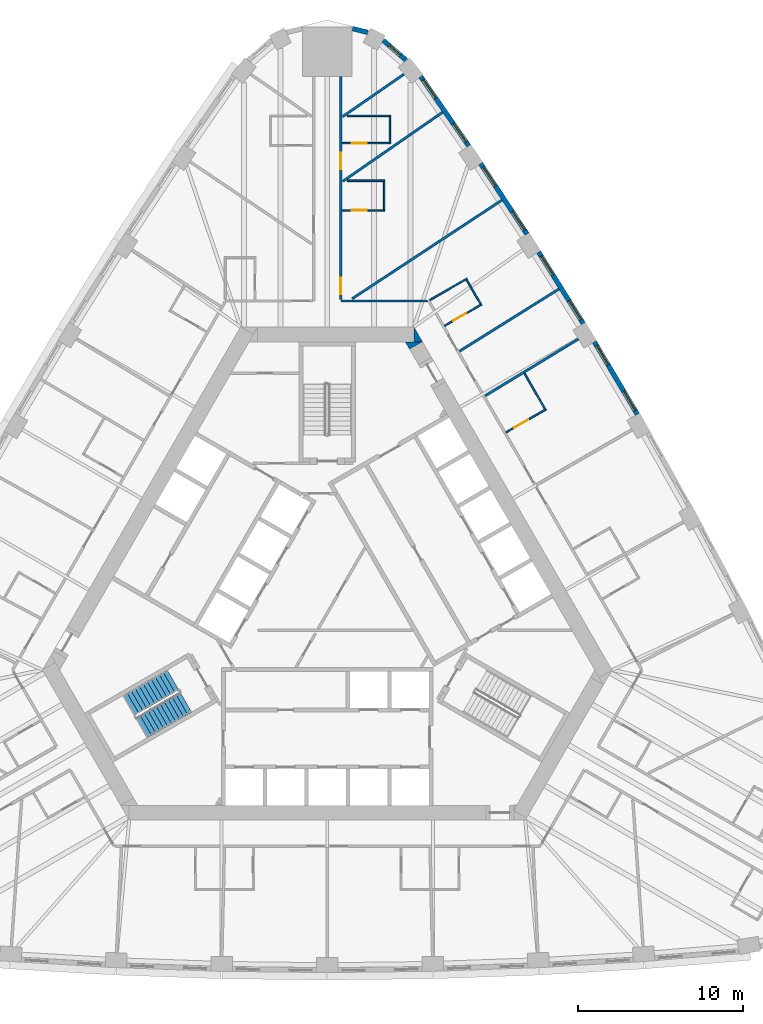
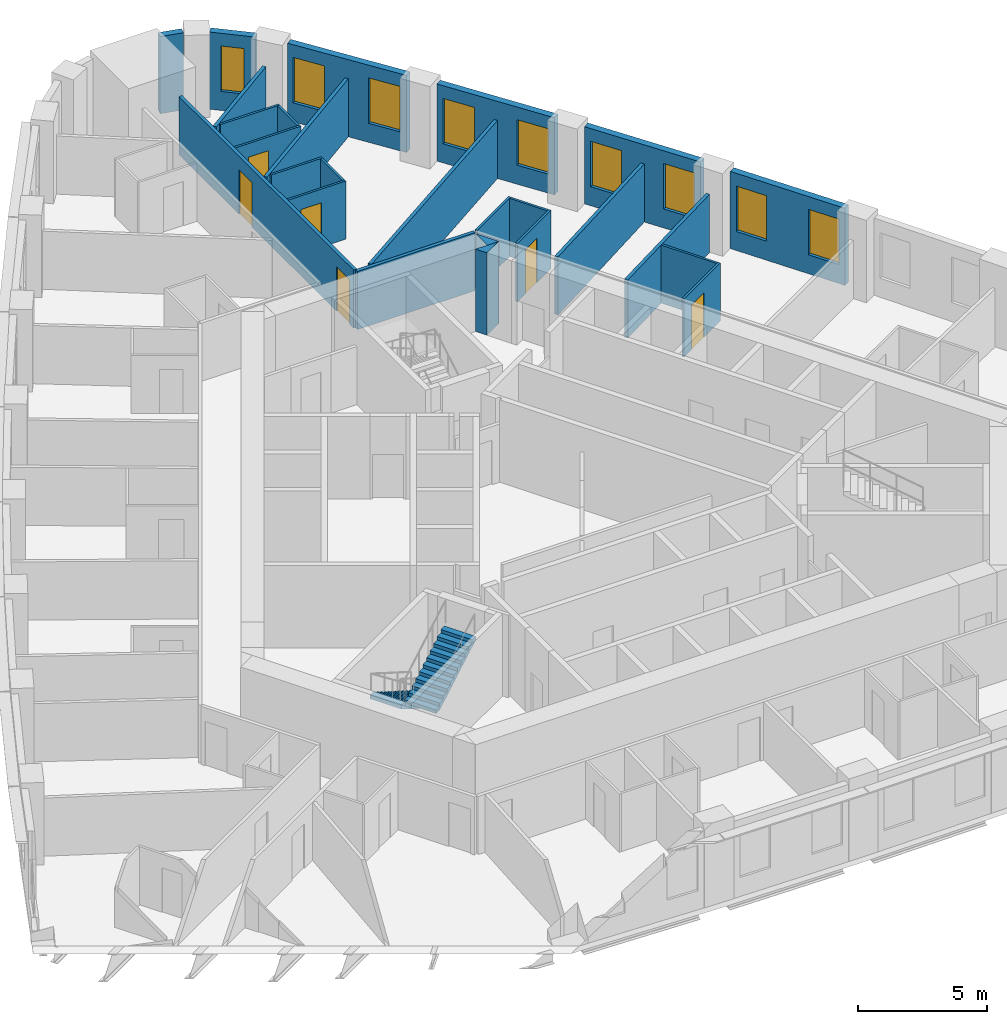
# One storey, part 11 of 13: 26 walls, 9 windows, 6 doors, 2 stair flights, 15 openings, 1 element without a shape of its own.
"""IFC4 building model written with IfcOpenShell, lengths in metres."""

from ifc_helpers import new_model, si_unit, direction, frame, frame_2d, origin, place, context, subcontext, project, spatial, polyline, rectangle, outline, extrude, material, layer, layer_set, type_object, element, fill, aggregate, save


model = new_model("IFC4")

# Units and contexts
model_context = context("Model", 3, precision=1e-05, world=origin(), true_north=direction((0.0, 1.0)))
body_context = subcontext(model_context, "Body", "Model", "MODEL_VIEW")
ifc_project = project(units=[si_unit("LENGTHUNIT", "METRE"), si_unit("AREAUNIT", "SQUARE_METRE"), si_unit("VOLUMEUNIT", "CUBIC_METRE"), si_unit("PLANEANGLEUNIT", "RADIAN"), si_unit("MASSUNIT", "GRAM", prefix="KILO")], contexts=[model_context])

# Site, building, storey
site_placement = place(None, origin())
site = spatial("IfcSite", under=ifc_project, at=site_placement, CompositionType="ELEMENT")
building_placement = place(site_placement, origin())
building = spatial("IfcBuilding", under=site, at=building_placement, Name="Mestral Congress Tower", CompositionType="ELEMENT")
storey_placement = place(building_placement, frame((0.0, 0.0, 95.39990234375)))
storey = spatial("IfcBuildingStorey", under=building, at=storey_placement, Name="L22", CompositionType="ELEMENT", Elevation=95.39990234375)

# Walls
ifc_material_1 = material(Name="Concrete C60/75", Category="concrete")
ifc_layer_1 = layer(ifc_material_1, 0.89990234375)
ifc_layer_set_1 = layer_set([ifc_layer_1], Name="Concrete C60/75")
wall_type_1 = type_object("IfcWallType", Name="Core wall RC 900", PredefinedType="SOLIDWALL", material=ifc_layer_set_1)
placement = place(storey_placement, origin())
element("IfcWall", 1, at=placement, inside=storey, type_object=wall_type_1, Name="L22 core wall", PredefinedType="SOLIDWALL", context=body_context, shape_type="SweptSolid", body=[
    extrude(outline(polyline([(5.265380859375, 16.0), (5.265380859375, 16.8798828125), (5.7734375, 16.0), (5.265380859375, 16.0)])), origin(), (0.0, 0.0, 1.0), 3.900146484375),
])
element("IfcWall", 2, at=placement, inside=storey, type_object=wall_type_1, Name="L22 core wall", PredefinedType="SOLIDWALL", context=body_context, shape_type="SweptSolid", body=[
    extrude(outline(polyline([(4.734375, 16.0), (5.750244140625, 16.0), (4.98828125, 15.56005859375), (4.734375, 16.0)])), origin(), (0.0, 0.0, 1.0), 3.900146484375),
])

# Wall, openings, windows
ifc_material_2 = material(Name="Precast concrete C40/50 with limestone facing", Category="masonry")
ifc_layer_2 = layer(ifc_material_2, 0.2900390625)
ifc_layer_set_2 = layer_set([ifc_layer_2], Name="Precast concrete C40/50 with limestone facing")
wall_type_2 = type_object("IfcWallType", Name="Facade stone wall 290", PredefinedType="SOLIDWALL", material=ifc_layer_set_2)
wall_3_placement = place(storey_placement, frame((18.8046875, 11.611083984375, 0.0), z_axis=(0.0, 0.0, 1.0), x_axis=(-0.510054281659, 0.860142214847, 0.0)))
wall_3 = element("IfcWall", 3, at=wall_3_placement, inside=storey, type_object=wall_type_2, Name="Facade wall F1-04", PredefinedType="SOLIDWALL", context=body_context, shape_type="SweptSolid", body=[
    extrude(rectangle(XDim=5.1005859375, YDim=0.2900390625, at=frame_2d((2.55029296875, 0.0))), origin(), (0.0, 0.0, 1.0), 3.650146484375),
])
opening_1_placement = place(wall_3_placement, frame((0.272705078125, 0.0, 0.89990234375)))
opening_1 = element("IfcOpeningElement", 4, at=opening_1_placement, cuts=wall_3, Name="Opening W2", PredefinedType="OPENING", context=body_context, shape_type="SweptSolid", body=[
    extrude(rectangle(XDim=1.35009765625, YDim=2.14990234375, at=frame_2d((0.675048828125, 1.074951171875))), frame((0.0, 0.155029296875, 0.0), z_axis=(0.0, -1.0, 0.0), x_axis=(1.0, 0.0, 0.0)), (0.0, 0.0, 1.0), 0.31005859375),
])
opening_2_placement = place(wall_3_placement, frame((3.477783203125, 0.0, 0.89990234375)))
opening_2 = element("IfcOpeningElement", 5, at=opening_2_placement, cuts=wall_3, Name="Opening W2", PredefinedType="OPENING", context=body_context, shape_type="SweptSolid", body=[
    extrude(rectangle(XDim=1.35009765625, YDim=2.14990234375, at=frame_2d((0.675048828125, 1.074951171875))), frame((0.0, 0.155029296875, 0.0), z_axis=(0.0, -1.0, 0.0), x_axis=(1.0, 0.0, 0.0)), (0.0, 0.0, 1.0), 0.31005859375),
])
ifc_material_3 = material(Name="Clear low-emissivity double glazing", Category="glass")
window_type_1 = type_object("IfcWindowType", Name="Facade punched window 1350 x 2150 sill 900", PartitioningType="DOUBLE_PANEL_VERTICAL", PredefinedType="WINDOW", material=ifc_material_3)
window_1_placement = place(opening_1_placement, origin())
window_1 = element("IfcWindow", 6, at=window_1_placement, inside=storey, type_object=window_type_1, Name="Window F1-04a", OverallHeight=2.14990234375, OverallWidth=1.35009765625, PartitioningType="DOUBLE_PANEL_VERTICAL", PredefinedType="WINDOW", context=body_context, shape_type="SweptSolid", body=[
    extrude(rectangle(XDim=1.35009765625, YDim=2.14990234375, at=frame_2d((0.675048828125, 1.074951171875))), frame((0.0, 0.01513671875, 0.0), z_axis=(0.0, -1.0, 0.0), x_axis=(1.0, 0.0, 0.0)), (0.0, 0.0, 1.0), 0.06005859375),
])
fill(opening_1, window_1)
window_2_placement = place(opening_2_placement, origin())
window_2 = element("IfcWindow", 7, at=window_2_placement, inside=storey, type_object=window_type_1, Name="Window F1-04b", OverallHeight=2.14990234375, OverallWidth=1.35009765625, PartitioningType="DOUBLE_PANEL_VERTICAL", PredefinedType="WINDOW", context=body_context, shape_type="SweptSolid", body=[
    extrude(rectangle(XDim=1.35009765625, YDim=2.14990234375, at=frame_2d((0.675048828125, 1.074951171875))), frame((0.0, 0.01513671875, 0.0), z_axis=(0.0, -1.0, 0.0), x_axis=(1.0, 0.0, 0.0)), (0.0, 0.0, 1.0), 0.06005859375),
])
fill(opening_2, window_2)

wall_4_placement = place(storey_placement, frame((15.523681640625, 17.114013671875, 0.0), z_axis=(0.0, 0.0, 1.0), x_axis=(-0.530072082134, 0.847952585787, 0.0)))
wall_4 = element("IfcWall", 8, at=wall_4_placement, inside=storey, type_object=wall_type_2, Name="Facade wall F1-05", PredefinedType="SOLIDWALL", context=body_context, shape_type="SweptSolid", body=[
    extrude(rectangle(XDim=5.100341796875, YDim=0.2900390625, at=frame_2d((2.55029296875, 0.0))), origin(), (0.0, 0.0, 1.0), 3.650146484375),
])
opening_3_placement = place(wall_4_placement, frame((0.272705078125, 0.0, 0.89990234375)))
opening_3 = element("IfcOpeningElement", 9, at=opening_3_placement, cuts=wall_4, Name="Opening W2", PredefinedType="OPENING", context=body_context, shape_type="SweptSolid", body=[
    extrude(rectangle(XDim=1.35009765625, YDim=2.14990234375, at=frame_2d((0.675048828125, 1.074951171875))), frame((0.0, 0.155029296875, 0.0), z_axis=(0.0, -1.0, 0.0), x_axis=(1.0, 0.0, 0.0)), (0.0, 0.0, 1.0), 0.31005859375),
])
opening_4_placement = place(wall_4_placement, frame((3.477783203125, 0.0, 0.89990234375)))
opening_4 = element("IfcOpeningElement", 10, at=opening_4_placement, cuts=wall_4, Name="Opening W2", PredefinedType="OPENING", context=body_context, shape_type="SweptSolid", body=[
    extrude(rectangle(XDim=1.35009765625, YDim=2.14990234375, at=frame_2d((0.675048828125, 1.074951171875))), frame((0.0, 0.155029296875, 0.0), z_axis=(0.0, -1.0, 0.0), x_axis=(1.0, 0.0, 0.0)), (0.0, 0.0, 1.0), 0.31005859375),
])
window_3_placement = place(opening_3_placement, origin())
window_3 = element("IfcWindow", 11, at=window_3_placement, inside=storey, type_object=window_type_1, Name="Window F1-05a", OverallHeight=2.14990234375, OverallWidth=1.35009765625, PartitioningType="DOUBLE_PANEL_VERTICAL", PredefinedType="WINDOW", context=body_context, shape_type="SweptSolid", body=[
    extrude(rectangle(XDim=1.35009765625, YDim=2.14990234375, at=frame_2d((0.675048828125, 1.074951171875))), frame((0.0, 0.01513671875, 0.0), z_axis=(0.0, -1.0, 0.0), x_axis=(1.0, 0.0, 0.0)), (0.0, 0.0, 1.0), 0.06005859375),
])
fill(opening_3, window_3)
window_4_placement = place(opening_4_placement, origin())
window_4 = element("IfcWindow", 12, at=window_4_placement, inside=storey, type_object=window_type_1, Name="Window F1-05b", OverallHeight=2.14990234375, OverallWidth=1.35009765625, PartitioningType="DOUBLE_PANEL_VERTICAL", PredefinedType="WINDOW", context=body_context, shape_type="SweptSolid", body=[
    extrude(rectangle(XDim=1.35009765625, YDim=2.14990234375, at=frame_2d((0.675048828125, 1.074951171875))), frame((0.0, 0.01513671875, 0.0), z_axis=(0.0, -1.0, 0.0), x_axis=(1.0, 0.0, 0.0)), (0.0, 0.0, 1.0), 0.06005859375),
])
fill(opening_4, window_4)

wall_5_placement = place(storey_placement, frame((12.114501953125, 22.538818359375, 0.0), z_axis=(0.0, 0.0, 1.0), x_axis=(-0.549741341923, 0.835334937005, 0.0)))
wall_5 = element("IfcWall", 13, at=wall_5_placement, inside=storey, type_object=wall_type_2, Name="Facade wall F1-06", PredefinedType="SOLIDWALL", context=body_context, shape_type="SweptSolid", body=[
    extrude(rectangle(XDim=5.10009765625, YDim=0.2900390625, at=frame_2d((2.550048828125, 0.0))), origin(), (0.0, 0.0, 1.0), 3.650146484375),
])
opening_5_placement = place(wall_5_placement, frame((0.272705078125, 0.0, 0.89990234375)))
opening_5 = element("IfcOpeningElement", 14, at=opening_5_placement, cuts=wall_5, Name="Opening W2", PredefinedType="OPENING", context=body_context, shape_type="SweptSolid", body=[
    extrude(rectangle(XDim=1.35009765625, YDim=2.14990234375, at=frame_2d((0.675048828125, 1.074951171875))), frame((0.0, 0.155029296875, 0.0), z_axis=(0.0, -1.0, 0.0), x_axis=(1.0, 0.0, 0.0)), (0.0, 0.0, 1.0), 0.31005859375),
])
opening_6_placement = place(wall_5_placement, frame((3.477783203125, 0.0, 0.89990234375)))
opening_6 = element("IfcOpeningElement", 15, at=opening_6_placement, cuts=wall_5, Name="Opening W2", PredefinedType="OPENING", context=body_context, shape_type="SweptSolid", body=[
    extrude(rectangle(XDim=1.35009765625, YDim=2.14990234375, at=frame_2d((0.675048828125, 1.074951171875))), frame((0.0, 0.155029296875, 0.0), z_axis=(0.0, -1.0, 0.0), x_axis=(1.0, 0.0, 0.0)), (0.0, 0.0, 1.0), 0.31005859375),
])
window_5_placement = place(opening_5_placement, origin())
window_5 = element("IfcWindow", 16, at=window_5_placement, inside=storey, type_object=window_type_1, Name="Window F1-06a", OverallHeight=2.14990234375, OverallWidth=1.35009765625, PartitioningType="DOUBLE_PANEL_VERTICAL", PredefinedType="WINDOW", context=body_context, shape_type="SweptSolid", body=[
    extrude(rectangle(XDim=1.35009765625, YDim=2.14990234375, at=frame_2d((0.675048828125, 1.074951171875))), frame((0.0, 0.01513671875, 0.0), z_axis=(0.0, -1.0, 0.0), x_axis=(1.0, 0.0, 0.0)), (0.0, 0.0, 1.0), 0.06005859375),
])
fill(opening_5, window_5)
window_6_placement = place(opening_6_placement, origin())
window_6 = element("IfcWindow", 17, at=window_6_placement, inside=storey, type_object=window_type_1, Name="Window F1-06b", OverallHeight=2.14990234375, OverallWidth=1.35009765625, PartitioningType="DOUBLE_PANEL_VERTICAL", PredefinedType="WINDOW", context=body_context, shape_type="SweptSolid", body=[
    extrude(rectangle(XDim=1.35009765625, YDim=2.14990234375, at=frame_2d((0.675048828125, 1.074951171875))), frame((0.0, 0.01513671875, 0.0), z_axis=(0.0, -1.0, 0.0), x_axis=(1.0, 0.0, 0.0)), (0.0, 0.0, 1.0), 0.06005859375),
])
fill(opening_6, window_6)

wall_6_placement = place(storey_placement, frame((8.57958984375, 27.882080078125, 0.0), z_axis=(0.0, 0.0, 1.0), x_axis=(-0.569113019126, 0.822259309136, 0.0)))
wall_6 = element("IfcWall", 18, at=wall_6_placement, inside=storey, type_object=wall_type_2, Name="Facade wall F1-07", PredefinedType="SOLIDWALL", context=body_context, shape_type="SweptSolid", body=[
    extrude(rectangle(XDim=5.106689453125, YDim=0.2900390625, at=frame_2d((2.55322265625, 0.0))), origin(), (0.0, 0.0, 1.0), 3.650146484375),
])
opening_7_placement = place(wall_6_placement, frame((0.285400390625, 0.0, 0.89990234375)))
opening_7 = element("IfcOpeningElement", 19, at=opening_7_placement, cuts=wall_6, Name="Opening W2", PredefinedType="OPENING", context=body_context, shape_type="SweptSolid", body=[
    extrude(rectangle(XDim=1.35009765625, YDim=2.14990234375, at=frame_2d((0.675048828125, 1.074951171875))), frame((0.0, 0.155029296875, 0.0), z_axis=(0.0, -1.0, 0.0), x_axis=(1.0, 0.0, 0.0)), (0.0, 0.0, 1.0), 0.31005859375),
])
opening_8_placement = place(wall_6_placement, frame((3.516357421875, 0.0, 0.89990234375)))
opening_8 = element("IfcOpeningElement", 20, at=opening_8_placement, cuts=wall_6, Name="Opening W2", PredefinedType="OPENING", context=body_context, shape_type="SweptSolid", body=[
    extrude(rectangle(XDim=1.35009765625, YDim=2.14990234375, at=frame_2d((0.675048828125, 1.074951171875))), frame((0.0, 0.155029296875, 0.0), z_axis=(0.0, -1.0, 0.0), x_axis=(1.0, 0.0, 0.0)), (0.0, 0.0, 1.0), 0.31005859375),
])
window_7_placement = place(opening_7_placement, origin())
window_7 = element("IfcWindow", 21, at=window_7_placement, inside=storey, type_object=window_type_1, Name="Window F1-07a", OverallHeight=2.14990234375, OverallWidth=1.35009765625, PartitioningType="DOUBLE_PANEL_VERTICAL", PredefinedType="WINDOW", context=body_context, shape_type="SweptSolid", body=[
    extrude(rectangle(XDim=1.35009765625, YDim=2.14990234375, at=frame_2d((0.675048828125, 1.074951171875))), frame((0.0, 0.01513671875, 0.0), z_axis=(0.0, -1.0, 0.0), x_axis=(1.0, 0.0, 0.0)), (0.0, 0.0, 1.0), 0.06005859375),
])
fill(opening_7, window_7)
window_8_placement = place(opening_8_placement, origin())
window_8 = element("IfcWindow", 22, at=window_8_placement, inside=storey, type_object=window_type_1, Name="Window F1-07b", OverallHeight=2.14990234375, OverallWidth=1.35009765625, PartitioningType="DOUBLE_PANEL_VERTICAL", PredefinedType="WINDOW", context=body_context, shape_type="SweptSolid", body=[
    extrude(rectangle(XDim=1.35009765625, YDim=2.14990234375, at=frame_2d((0.675048828125, 1.074951171875))), frame((0.0, 0.01513671875, 0.0), z_axis=(0.0, -1.0, 0.0), x_axis=(1.0, 0.0, 0.0)), (0.0, 0.0, 1.0), 0.06005859375),
])
fill(opening_8, window_8)

# Wall, opening, window
wall_7_placement = place(storey_placement, frame((4.778076171875, 33.08203125, 0.0), z_axis=(0.0, 0.0, 1.0), x_axis=(-0.754882764627, 0.655859749999, 0.0)))
wall_7 = element("IfcWall", 23, at=wall_7_placement, inside=storey, type_object=wall_type_2, Name="Facade wall K1-0", PredefinedType="SOLIDWALL", context=body_context, shape_type="SweptSolid", body=[
    extrude(rectangle(XDim=1.819580078125, YDim=0.2900390625, at=frame_2d((0.90966796875, 0.0))), origin(), (0.0, 0.0, 1.0), 3.650146484375),
])
opening_9_placement = place(wall_7_placement, frame((0.459716796875, 0.0, 0.89990234375)))
opening_9 = element("IfcOpeningElement", 24, at=opening_9_placement, cuts=wall_7, Name="Opening W3", PredefinedType="OPENING", context=body_context, shape_type="SweptSolid", body=[
    extrude(rectangle(XDim=0.89990234375, YDim=2.14990234375, at=frame_2d((0.449951171875, 1.074951171875))), frame((0.0, 0.155029296875, 0.0), z_axis=(0.0, -1.0, 0.0), x_axis=(1.0, 0.0, 0.0)), (0.0, 0.0, 1.0), 0.31005859375),
])
window_type_2 = type_object("IfcWindowType", Name="Facade punched window 900 x 2150 sill 900", PartitioningType="SINGLE_PANEL", PredefinedType="WINDOW", material=ifc_material_3)
window_9_placement = place(opening_9_placement, origin())
window_9 = element("IfcWindow", 25, at=window_9_placement, inside=storey, type_object=window_type_2, Name="Window K1-0", OverallHeight=2.14990234375, OverallWidth=0.89990234375, PartitioningType="SINGLE_PANEL", PredefinedType="WINDOW", context=body_context, shape_type="SweptSolid", body=[
    extrude(rectangle(XDim=0.89990234375, YDim=2.14990234375, at=frame_2d((0.449951171875, 1.074951171875))), frame((0.0, 0.01513671875, 0.0), z_axis=(0.0, -1.0, 0.0), x_axis=(1.0, 0.0, 0.0)), (0.0, 0.0, 1.0), 0.06005859375),
])
fill(opening_9, window_9)

# Wall
wall_8_placement = place(storey_placement, frame((2.455322265625, 34.765625, 0.0), z_axis=(0.0, 0.0, 1.0), x_axis=(-0.971713991574, 0.236160789674, 0.0)))
element("IfcWall", 26, at=wall_8_placement, inside=storey, type_object=wall_type_2, Name="Facade wall K1-1", PredefinedType="SOLIDWALL", context=body_context, shape_type="SweptSolid", body=[
    extrude(rectangle(XDim=0.947021484375, YDim=0.2900390625, at=frame_2d((0.4736328125, 0.0))), origin(), (0.0, 0.0, 1.0), 3.650146484375),
])

# Wall, opening, door
ifc_material_4 = material(Name="Gypsum board partition on metal studs with mineral wool", Category="composite")
ifc_layer_3 = layer(ifc_material_4, 0.10009765625)
ifc_layer_set_3 = layer_set([ifc_layer_3], Name="Gypsum board partition on metal studs with mineral wool")
wall_type_3 = type_object("IfcWallType", Name="Hotel partition wall 100", PredefinedType="PARTITIONING", material=ifc_layer_set_3)
wall_9_placement = place(storey_placement, frame((10.8466796875, 10.512939453125, 0.0), z_axis=(0.0, 0.0, 1.0), x_axis=(0.865996816683, 0.500049511043, 0.0)))
wall_9 = element("IfcWall", 27, at=wall_9_placement, inside=storey, type_object=wall_type_3, Name="L22-h-pod13a", PredefinedType="PARTITIONING", context=body_context, shape_type="SweptSolid", body=[
    extrude(rectangle(XDim=2.800048828125, YDim=0.10009765625, at=frame_2d((1.39990234375, 0.0))), origin(), (0.0, 0.0, 1.0), 2.75),
])
opening_10_placement = place(wall_9_placement, frame((0.550048828125, 0.0, 0.0)))
opening_10 = element("IfcOpeningElement", 28, at=opening_10_placement, cuts=wall_9, Name="Opening H07-026", PredefinedType="OPENING", context=body_context, shape_type="SweptSolid", body=[
    extrude(rectangle(XDim=1.0, YDim=2.10009765625, at=frame_2d((0.5, 1.050048828125))), frame((0.0, 0.06005859375, 0.0), z_axis=(0.0, -1.0, 0.0), x_axis=(1.0, 0.0, 0.0)), (0.0, 0.0, 1.0), 0.1201171875),
])
ifc_material_5 = material(Name="Timber veneer door leaf in timber frame", Category="wood")
door_type_1 = type_object("IfcDoorType", Name="Accessible bathroom door 1000", OperationType="SINGLE_SWING_LEFT", PredefinedType="DOOR", material=ifc_material_5)
door_1_placement = place(opening_10_placement, origin())
door_1 = element("IfcDoor", 29, at=door_1_placement, inside=storey, type_object=door_type_1, Name="L22-h-d026", OperationType="SINGLE_SWING_LEFT", OverallHeight=2.10009765625, OverallWidth=1.0, PredefinedType="DOOR", context=body_context, shape_type="SweptSolid", body=[
    extrude(rectangle(XDim=1.0, YDim=2.10009765625, at=frame_2d((0.5, 1.050048828125))), frame((0.0, 0.02490234375, 0.0), z_axis=(0.0, -1.0, 0.0), x_axis=(1.0, 0.0, 0.0)), (0.0, 0.0, 1.0), 0.050048828125),
])
fill(opening_10, door_1)

# Wall
wall_10_placement = place(storey_placement, frame((13.203125, 11.931396484375, 0.0), z_axis=(0.0, 0.0, 1.0), x_axis=(-0.499988411372, 0.866032094379, 0.0)))
element("IfcWall", 30, at=wall_10_placement, inside=storey, type_object=wall_type_3, Name="L22-h-pod13b", PredefinedType="PARTITIONING", context=body_context, shape_type="SweptSolid", body=[
    extrude(rectangle(XDim=2.48974609375, YDim=0.10009765625, at=frame_2d((1.244873046875, 0.0))), origin(), (0.0, 0.0, 1.0), 2.75),
])

# Wall, opening, door
wall_11_placement = place(storey_placement, frame((7.1181640625, 16.970947265625, 0.0), z_axis=(0.0, 0.0, 1.0), x_axis=(0.866021400173, 0.500006934395, 0.0)))
wall_11 = element("IfcWall", 31, at=wall_11_placement, inside=storey, type_object=wall_type_3, Name="L22-h-pod15a", PredefinedType="PARTITIONING", context=body_context, shape_type="SweptSolid", body=[
    extrude(rectangle(XDim=2.60009765625, YDim=0.10009765625, at=frame_2d((1.300048828125, 0.0))), origin(), (0.0, 0.0, 1.0), 2.75),
])
opening_11_placement = place(wall_11_placement, frame((0.60009765625, 0.0, 0.0)))
opening_11 = element("IfcOpeningElement", 32, at=opening_11_placement, cuts=wall_11, Name="Opening H07-029", PredefinedType="OPENING", context=body_context, shape_type="SweptSolid", body=[
    extrude(rectangle(XDim=0.89990234375, YDim=2.10009765625, at=frame_2d((0.449951171875, 1.050048828125))), frame((0.0, 0.06005859375, 0.0), z_axis=(0.0, -1.0, 0.0), x_axis=(1.0, 0.0, 0.0)), (0.0, 0.0, 1.0), 0.1201171875),
])
door_type_2 = type_object("IfcDoorType", Name="Bathroom door 900", OperationType="SINGLE_SWING_LEFT", PredefinedType="DOOR", material=ifc_material_5)
door_2_placement = place(opening_11_placement, origin())
door_2 = element("IfcDoor", 33, at=door_2_placement, inside=storey, type_object=door_type_2, Name="L22-h-d029", OperationType="SINGLE_SWING_RIGHT", OverallHeight=2.10009765625, OverallWidth=0.89990234375, PredefinedType="DOOR", context=body_context, shape_type="SweptSolid", body=[
    extrude(rectangle(XDim=0.89990234375, YDim=2.10009765625, at=frame_2d((0.449951171875, 1.050048828125))), frame((0.0, 0.02490234375, 0.0), z_axis=(0.0, -1.0, 0.0), x_axis=(1.0, 0.0, 0.0)), (0.0, 0.0, 1.0), 0.050048828125),
])
fill(opening_11, door_2)

# Walls
wall_12_placement = place(storey_placement, frame((9.301513671875, 18.289306640625, 0.0), z_axis=(0.0, 0.0, 1.0), x_axis=(-0.500062241894, 0.865989465428, 0.0)))
element("IfcWall", 34, at=wall_12_placement, inside=storey, type_object=wall_type_3, Name="L22-h-pod15b", PredefinedType="PARTITIONING", context=body_context, shape_type="SweptSolid", body=[
    extrude(rectangle(XDim=1.699951171875, YDim=0.10009765625, at=frame_2d((0.85009765625, 0.0))), origin(), (0.0, 0.0, 1.0), 2.75),
])
wall_13_placement = place(storey_placement, frame((6.21826171875, 18.52978515625, 0.0), z_axis=(0.0, 0.0, 1.0), x_axis=(0.865997922154, 0.500047596559, 0.0)))
element("IfcWall", 35, at=wall_13_placement, inside=storey, type_object=wall_type_3, Name="L22-h-pod15c", PredefinedType="PARTITIONING", context=body_context, shape_type="SweptSolid", body=[
    extrude(rectangle(XDim=2.599853515625, YDim=0.10009765625, at=frame_2d((1.2998046875, 0.0))), origin(), (0.0, 0.0, 1.0), 2.75),
])

# Wall, opening, door
wall_14_placement = place(storey_placement, frame((0.89990234375, 23.968994140625, 0.0), z_axis=(0.0, 0.0, 1.0), x_axis=(1.0, 0.0, 0.0)))
wall_14 = element("IfcWall", 36, at=wall_14_placement, inside=storey, type_object=wall_type_3, Name="L22-h-pod16a", PredefinedType="PARTITIONING", context=body_context, shape_type="SweptSolid", body=[
    extrude(rectangle(XDim=2.60009765625, YDim=0.10009765625, at=frame_2d((1.300048828125, 0.0))), origin(), (0.0, 0.0, 1.0), 2.75),
])
opening_12_placement = place(wall_14_placement, frame((0.60009765625, 0.0, 0.0)))
opening_12 = element("IfcOpeningElement", 37, at=opening_12_placement, cuts=wall_14, Name="Opening H07-031", PredefinedType="OPENING", context=body_context, shape_type="SweptSolid", body=[
    extrude(rectangle(XDim=0.89990234375, YDim=2.10009765625, at=frame_2d((0.449951171875, 1.050048828125))), frame((0.0, 0.06005859375, 0.0), z_axis=(0.0, -1.0, 0.0), x_axis=(1.0, 0.0, 0.0)), (0.0, 0.0, 1.0), 0.1201171875),
])
door_3_placement = place(opening_12_placement, origin())
door_3 = element("IfcDoor", 38, at=door_3_placement, inside=storey, type_object=door_type_2, Name="L22-h-d031", OperationType="SINGLE_SWING_LEFT", OverallHeight=2.10009765625, OverallWidth=0.89990234375, PredefinedType="DOOR", context=body_context, shape_type="SweptSolid", body=[
    extrude(rectangle(XDim=0.89990234375, YDim=2.10009765625, at=frame_2d((0.449951171875, 1.050048828125))), frame((0.0, 0.02490234375, 0.0), z_axis=(0.0, -1.0, 0.0), x_axis=(1.0, 0.0, 0.0)), (0.0, 0.0, 1.0), 0.050048828125),
])
fill(opening_12, door_3)

# Walls
wall_15_placement = place(storey_placement, frame((3.449951171875, 24.01904296875, 0.0), z_axis=(0.0, 0.0, 1.0), x_axis=(0.0, 1.0, 0.0)))
element("IfcWall", 39, at=wall_15_placement, inside=storey, type_object=wall_type_3, Name="L22-h-pod16b", PredefinedType="PARTITIONING", context=body_context, shape_type="SweptSolid", body=[
    extrude(rectangle(XDim=1.699951171875, YDim=0.10009765625, at=frame_2d((0.85009765625, 0.0))), origin(), (0.0, 0.0, 1.0), 2.75),
])
wall_16_placement = place(storey_placement, frame((1.199951171875, 25.76904296875, 0.0), z_axis=(0.0, 0.0, 1.0), x_axis=(1.0, 0.0, 0.0)))
element("IfcWall", 40, at=wall_16_placement, inside=storey, type_object=wall_type_3, Name="L22-h-pod16c", PredefinedType="PARTITIONING", context=body_context, shape_type="SweptSolid", body=[
    extrude(rectangle(XDim=2.300048828125, YDim=0.10009765625, at=frame_2d((1.14990234375, 0.0))), origin(), (0.0, 0.0, 1.0), 2.75),
])

# Wall, opening, door
wall_17_placement = place(storey_placement, frame((0.89990234375, 28.048095703125, 0.0), z_axis=(0.0, 0.0, 1.0), x_axis=(1.0, 0.0, 0.0)))
wall_17 = element("IfcWall", 41, at=wall_17_placement, inside=storey, type_object=wall_type_3, Name="L22-h-pod17a", PredefinedType="PARTITIONING", context=body_context, shape_type="SweptSolid", body=[
    extrude(rectangle(XDim=2.9501953125, YDim=0.10009765625, at=frame_2d((1.47509765625, 0.0))), origin(), (0.0, 0.0, 1.0), 2.75),
])
opening_13_placement = place(wall_17_placement, frame((0.60009765625, 0.0, 0.0)))
opening_13 = element("IfcOpeningElement", 42, at=opening_13_placement, cuts=wall_17, Name="Opening H07-033", PredefinedType="OPENING", context=body_context, shape_type="SweptSolid", body=[
    extrude(rectangle(XDim=0.89990234375, YDim=2.10009765625, at=frame_2d((0.449951171875, 1.050048828125))), frame((0.0, 0.06005859375, 0.0), z_axis=(0.0, -1.0, 0.0), x_axis=(1.0, 0.0, 0.0)), (0.0, 0.0, 1.0), 0.1201171875),
])
door_4_placement = place(opening_13_placement, origin())
door_4 = element("IfcDoor", 43, at=door_4_placement, inside=storey, type_object=door_type_2, Name="L22-h-d033", OperationType="SINGLE_SWING_LEFT", OverallHeight=2.10009765625, OverallWidth=0.89990234375, PredefinedType="DOOR", context=body_context, shape_type="SweptSolid", body=[
    extrude(rectangle(XDim=0.89990234375, YDim=2.10009765625, at=frame_2d((0.449951171875, 1.050048828125))), frame((0.0, 0.02490234375, 0.0), z_axis=(0.0, -1.0, 0.0), x_axis=(1.0, 0.0, 0.0)), (0.0, 0.0, 1.0), 0.050048828125),
])
fill(opening_13, door_4)

# Walls
wall_18_placement = place(storey_placement, frame((3.800048828125, 28.09814453125, 0.0), z_axis=(0.0, 0.0, 1.0), x_axis=(0.0, 1.0, 0.0)))
element("IfcWall", 44, at=wall_18_placement, inside=storey, type_object=wall_type_3, Name="L22-h-pod17b", PredefinedType="PARTITIONING", context=body_context, shape_type="SweptSolid", body=[
    extrude(rectangle(XDim=1.550048828125, YDim=0.10009765625, at=frame_2d((0.77490234375, 0.0))), origin(), (0.0, 0.0, 1.0), 2.75),
])
wall_19_placement = place(storey_placement, frame((1.199951171875, 29.697998046875, 0.0), z_axis=(0.0, 0.0, 1.0), x_axis=(1.0, 0.0, 0.0)))
element("IfcWall", 45, at=wall_19_placement, inside=storey, type_object=wall_type_3, Name="L22-h-pod17c", PredefinedType="PARTITIONING", context=body_context, shape_type="SweptSolid", body=[
    extrude(rectangle(XDim=2.650146484375, YDim=0.10009765625, at=frame_2d((1.3251953125, 0.0))), origin(), (0.0, 0.0, 1.0), 2.75),
])
ifc_layer_4 = layer(ifc_material_4, 0.14990234375)
ifc_layer_set_4 = layer_set([ifc_layer_4], Name="Gypsum board partition on metal studs with mineral wool")
wall_type_4 = type_object("IfcWallType", Name="Hotel partition wall 150", PredefinedType="PARTITIONING", material=ifc_layer_set_4)
wall_20_placement = place(storey_placement, frame((0.824951171875, 18.47509765625, 0.0), z_axis=(0.0, 0.0, 1.0), x_axis=(1.0, 0.0, 0.0)))
element("IfcWall", 46, at=wall_20_placement, inside=storey, type_object=wall_type_4, Name="L22-h-cw04", PredefinedType="PARTITIONING", context=body_context, shape_type="SweptSolid", body=[
    extrude(rectangle(XDim=5.268310546875, YDim=0.14990234375, at=frame_2d((2.63427734375, 0.0))), origin(), (0.0, 0.0, 1.0), 2.75),
])

# Wall, openings, doors
wall_21_placement = place(storey_placement, frame((0.824951171875, 32.098388671875, 0.0), z_axis=(0.0, 0.0, 1.0), x_axis=(0.0, -1.0, 0.0)))
wall_21 = element("IfcWall", 47, at=wall_21_placement, inside=storey, type_object=wall_type_4, Name="L22-h-cw05", PredefinedType="PARTITIONING", context=body_context, shape_type="SweptSolid", body=[
    extrude(rectangle(XDim=13.54345703125, YDim=0.14990234375, at=frame_2d((6.771728515625, 0.0))), origin(), (0.0, 0.0, 1.0), 2.75),
])
opening_14_placement = place(wall_21_placement, frame((12.21337890625, 0.0, 0.0)))
opening_14 = element("IfcOpeningElement", 48, at=opening_14_placement, cuts=wall_21, Name="Opening H07-030", PredefinedType="OPENING", context=body_context, shape_type="SweptSolid", body=[
    extrude(rectangle(XDim=1.0, YDim=2.10009765625, at=frame_2d((0.5, 1.050048828125))), frame((0.0, 0.0849609375, 0.0), z_axis=(0.0, -1.0, 0.0), x_axis=(1.0, 0.0, 0.0)), (0.0, 0.0, 1.0), 0.169921875),
])
opening_15_placement = place(wall_21_placement, frame((4.650146484375, 0.0, 0.0)))
opening_15 = element("IfcOpeningElement", 49, at=opening_15_placement, cuts=wall_21, Name="Opening H07-032", PredefinedType="OPENING", context=body_context, shape_type="SweptSolid", body=[
    extrude(rectangle(XDim=1.0, YDim=2.10009765625, at=frame_2d((0.5, 1.050048828125))), frame((0.0, 0.0849609375, 0.0), z_axis=(0.0, -1.0, 0.0), x_axis=(1.0, 0.0, 0.0)), (0.0, 0.0, 1.0), 0.169921875),
])
ifc_material_6 = material(Name="Timber veneer door leaf in metal frame", Category="wood")
door_type_3 = type_object("IfcDoorType", Name="Guest room entrance door 1000", OperationType="SINGLE_SWING_LEFT", PredefinedType="DOOR", material=ifc_material_6)
door_5_placement = place(opening_14_placement, origin())
door_5 = element("IfcDoor", 50, at=door_5_placement, inside=storey, type_object=door_type_3, Name="L22-h-d030", OperationType="SINGLE_SWING_RIGHT", OverallHeight=2.10009765625, OverallWidth=1.0, PredefinedType="DOOR", context=body_context, shape_type="SweptSolid", body=[
    extrude(rectangle(XDim=1.0, YDim=2.10009765625, at=frame_2d((0.5, 1.050048828125))), frame((0.0, 0.02490234375, 0.0), z_axis=(0.0, -1.0, 0.0), x_axis=(1.0, 0.0, 0.0)), (0.0, 0.0, 1.0), 0.050048828125),
])
fill(opening_14, door_5)
door_6_placement = place(opening_15_placement, origin())
door_6 = element("IfcDoor", 51, at=door_6_placement, inside=storey, type_object=door_type_3, Name="L22-h-d032", OperationType="SINGLE_SWING_RIGHT", OverallHeight=2.10009765625, OverallWidth=1.0, PredefinedType="DOOR", context=body_context, shape_type="SweptSolid", body=[
    extrude(rectangle(XDim=1.0, YDim=2.10009765625, at=frame_2d((0.5, 1.050048828125))), frame((0.0, 0.02490234375, 0.0), z_axis=(0.0, -1.0, 0.0), x_axis=(1.0, 0.0, 0.0)), (0.0, 0.0, 1.0), 0.050048828125),
])
fill(opening_15, door_6)

# Walls
wall_22_placement = place(storey_placement, frame((6.994384765625, 29.91748046875, 0.0), z_axis=(0.0, 0.0, 1.0), x_axis=(-0.822255462494, -0.569118576747, 0.0)))
element("IfcWall", 52, at=wall_22_placement, inside=storey, type_object=wall_type_4, Name="L22-h-pw16", PredefinedType="PARTITIONING", context=body_context, shape_type="SweptSolid", body=[
    extrude(rectangle(XDim=7.36181640625, YDim=0.14990234375, at=frame_2d((3.680908203125, 0.0))), origin(), (0.0, 0.0, 1.0), 2.75),
])
wall_23_placement = place(storey_placement, frame((10.591552734375, 24.589111328125, 0.0), z_axis=(0.0, 0.0, 1.0), x_axis=(-0.835337323748, -0.549737715236, 0.0)))
element("IfcWall", 53, at=wall_23_placement, inside=storey, type_object=wall_type_4, Name="L22-h-pw17", PredefinedType="PARTITIONING", context=body_context, shape_type="SweptSolid", body=[
    extrude(rectangle(XDim=10.875244140625, YDim=0.14990234375, at=frame_2d((5.4375, 0.0))), origin(), (0.0, 0.0, 1.0), 2.75),
])
wall_24_placement = place(storey_placement, frame((4.649169921875, 32.223388671875, 0.0), z_axis=(0.0, 0.0, 1.0), x_axis=(-0.822262349475, -0.569108626394, 0.0)))
element("IfcWall", 54, at=wall_24_placement, inside=storey, type_object=wall_type_4, Name="L22-h-pw18", PredefinedType="PARTITIONING", context=body_context, shape_type="SweptSolid", body=[
    extrude(rectangle(XDim=4.509521484375, YDim=0.14990234375, at=frame_2d((2.2548828125, 0.0))), origin(), (0.0, 0.0, 1.0), 2.75),
])
wall_25_placement = place(storey_placement, frame((14.048828125, 19.19970703125, 0.0), z_axis=(0.0, 0.0, 1.0), x_axis=(-0.847955867271, -0.530066832731, 0.0)))
element("IfcWall", 55, at=wall_25_placement, inside=storey, type_object=wall_type_4, Name="L22-h-pw20", PredefinedType="PARTITIONING", context=body_context, shape_type="SweptSolid", body=[
    extrude(rectangle(XDim=7.111083984375, YDim=0.14990234375, at=frame_2d((3.5556640625, 0.0))), origin(), (0.0, 0.0, 1.0), 2.75),
])
wall_26_placement = place(storey_placement, frame((15.22509765625, 16.16748046875, 0.0), z_axis=(0.0, 0.0, 1.0), x_axis=(-0.854088713274, -0.520127359266, 0.0)))
element("IfcWall", 56, at=wall_26_placement, inside=storey, type_object=wall_type_4, Name="L22-h-pw21", PredefinedType="PARTITIONING", context=body_context, shape_type="SweptSolid", body=[
    extrude(rectangle(XDim=6.61083984375, YDim=0.14990234375, at=frame_2d((3.305419921875, 0.0))), origin(), (0.0, 0.0, 1.0), 2.75),
])

# Stair, stair flights
stair_type = type_object("IfcStairType", Name="Exit stair 1400", PredefinedType="HALF_TURN_STAIR", material=ifc_material_1)
stair = element("IfcStair", 57, at=placement, inside=storey, type_object=stair_type, Name="L22 ST3", PredefinedType="HALF_TURN_STAIR")
stair_flight_type = type_object("IfcStairFlightType", Name="Exit stair flight 1400", PredefinedType="STRAIGHT", material=ifc_material_1)
stair_flight_1_placement = place(storey_placement, frame((-9.350830078125, -4.50390625, 0.0), z_axis=(0.0, 0.0, 1.0), x_axis=(-0.866025403784, -0.5, 0.0)))
stair_flight_1 = element("IfcStairFlight", 58, at=stair_flight_1_placement, type_object=stair_flight_type, Name="ST3 flight 1", NumberOfRisers=12, NumberOfTreads=11, PredefinedType="STRAIGHT", RiserHeight=0.1625, TreadLength=0.28, context=body_context, shape_type="SweptSolid", body=[
    extrude(outline(polyline([(0.0, 0.0), (0.0, 0.16259765625), (0.280029296875, 0.16259765625), (0.280029296875, 0.324951171875), (0.56005859375, 0.324951171875), (0.56005859375, 0.487548828125), (0.840087890625, 0.487548828125), (0.840087890625, 0.64990234375), (1.1201171875, 0.64990234375), (1.1201171875, 0.8125), (1.39990234375, 0.8125), (1.39990234375, 0.97509765625), (1.679931640625, 0.97509765625), (1.679931640625, 1.137451171875), (1.9599609375, 1.137451171875), (1.9599609375, 1.300048828125), (2.239990234375, 1.300048828125), (2.239990234375, 1.46240234375), (2.52001953125, 1.46240234375), (2.52001953125, 1.625), (2.800048828125, 1.625), (2.800048828125, 1.78759765625), (3.080078125, 1.78759765625), (3.080078125, 1.949951171875), (3.080078125, 1.6142578125), (0.298583984375, 0.0), (0.0, 0.0)])), frame((0.0, 0.699951171875, 0.0), z_axis=(0.0, -1.0, 0.0), x_axis=(1.0, 0.0, 0.0)), (0.0, 0.0, 1.0), 1.39990234375),
])
stair_flight_2_placement = place(storey_placement, frame((-11.2431640625, -7.38623046875, 1.9501953125), z_axis=(0.0, 0.0, 1.0), x_axis=(0.866025403784, 0.5, 0.0)))
stair_flight_2 = element("IfcStairFlight", 59, at=stair_flight_2_placement, type_object=stair_flight_type, Name="ST3 flight 2", NumberOfRisers=12, NumberOfTreads=11, PredefinedType="STRAIGHT", RiserHeight=0.1625, TreadLength=0.28, context=body_context, shape_type="SweptSolid", body=[
    extrude(outline(polyline([(0.0, 0.0), (0.0, 0.16259765625), (0.280029296875, 0.16259765625), (0.280029296875, 0.324951171875), (0.56005859375, 0.324951171875), (0.56005859375, 0.487548828125), (0.840087890625, 0.487548828125), (0.840087890625, 0.64990234375), (1.1201171875, 0.64990234375), (1.1201171875, 0.8125), (1.39990234375, 0.8125), (1.39990234375, 0.97509765625), (1.679931640625, 0.97509765625), (1.679931640625, 1.137451171875), (1.9599609375, 1.137451171875), (1.9599609375, 1.300048828125), (2.239990234375, 1.300048828125), (2.239990234375, 1.46240234375), (2.52001953125, 1.46240234375), (2.52001953125, 1.625), (2.800048828125, 1.625), (2.800048828125, 1.78759765625), (3.080078125, 1.78759765625), (3.080078125, 1.949951171875), (3.080078125, 1.6142578125), (0.298583984375, 0.0), (0.0, 0.0)])), frame((0.0, 0.699951171875, 0.0), z_axis=(0.0, -1.0, 0.0), x_axis=(1.0, 0.0, 0.0)), (0.0, 0.0, 1.0), 1.39990234375),
])
aggregate(stair, [stair_flight_1, stair_flight_2])

save(model, "model.ifc")
